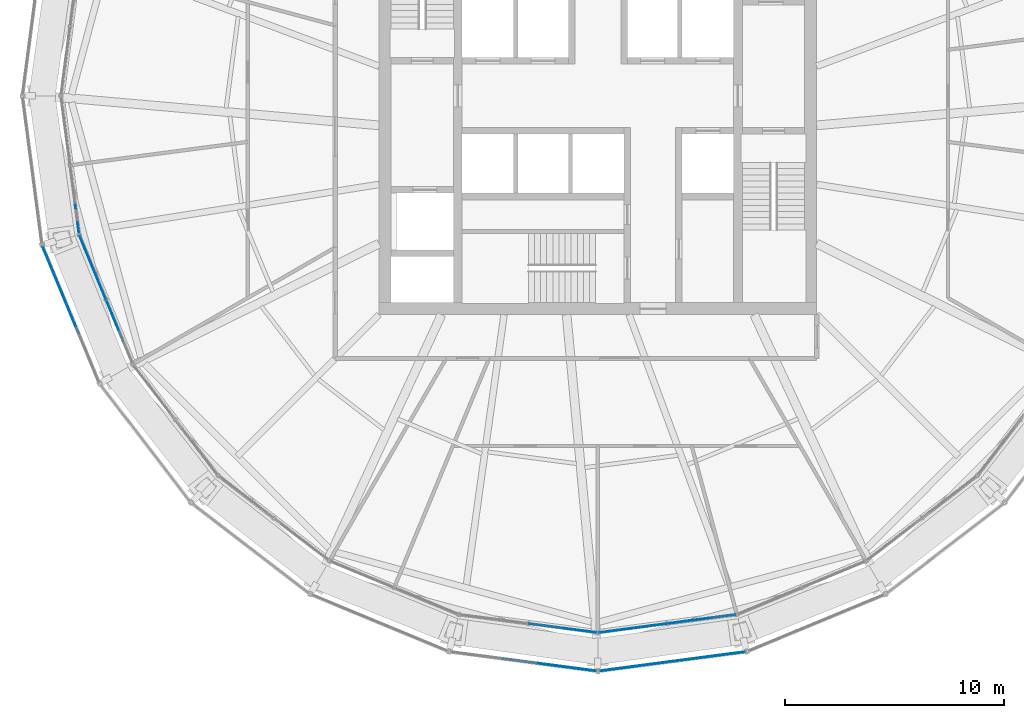
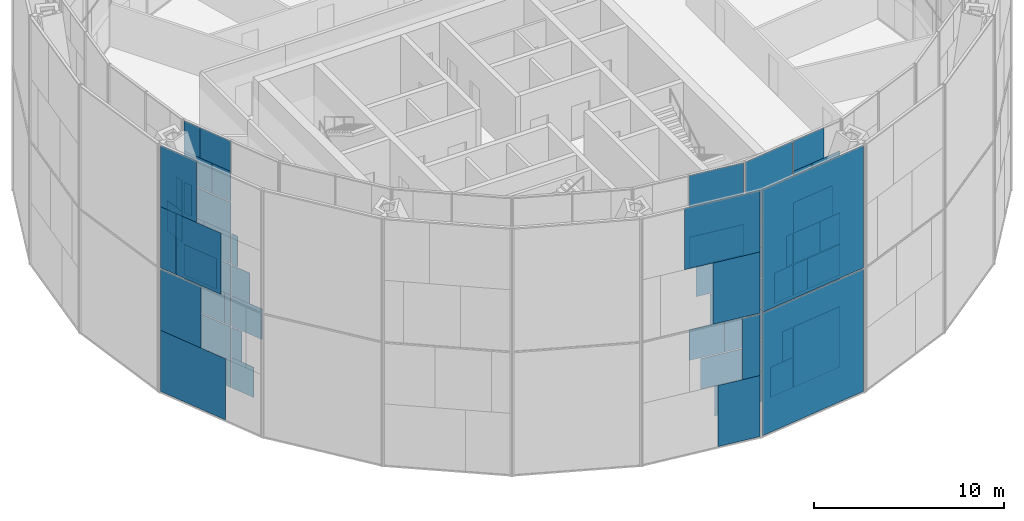
# One storey, part 15 of 29: 62 plates, 7 elements without a shape of their own.
"""IFC4 building model written with IfcOpenShell, lengths in metres."""

import ifcopenshell
import ifcopenshell.guid

model = None  # the IFC model being written
_history = None  # IfcOwnerHistory: only IFC2X3 demands one
_inside = {}  # id of a spatial element -> (the spatial element, [elements in it])
_under = {}  # id of a project, library or spatial element -> (it, [spatial elements below it])
_declared = {}  # id of a project -> (the project, [libraries it declares])
_typed = {}  # id of a type object -> (the type object, [elements of that type])
_made_of = {}  # id of a material, layer set ... -> (it, [elements and type objects made of it])


def new_model(schema):
    """Start an empty IFC model of exactly this schema.

    Asked for "IFC4X3", IfcOpenShell would pick the latest addendum, in which some entities
    have other attributes; the version numbers below select the first issue.
    IFC2X3 requires an IfcOwnerHistory on every rooted entity: one is made here for all.
    """
    global model, _history
    if schema == "IFC4X3":
        model = ifcopenshell.file(schema_version=(4, 3, 0, 0))
    else:
        model = ifcopenshell.file(schema=schema)
    _inside.clear()
    _under.clear()
    _declared.clear()
    _typed.clear()
    _made_of.clear()
    _history = None
    if model.schema == "IFC2X3":
        org = make("IfcOrganization", Name="unknown")
        user = make(
            "IfcPersonAndOrganization",
            ThePerson=make("IfcPerson", FamilyName="unknown"),
            TheOrganization=org,
        )
        app = make(
            "IfcApplication",
            ApplicationDeveloper=org,
            Version="unknown",
            ApplicationFullName="unknown",
            ApplicationIdentifier="unknown",
        )
        _history = make(
            "IfcOwnerHistory",
            OwningUser=user,
            OwningApplication=app,
            ChangeAction="ADDED",
            CreationDate=0,
        )
    return model


def make(cls, **values):
    """One entity of the class cls with the attributes given. An attribute that is None is left unset."""
    return model.create_entity(
        cls, **{name: value for name, value in values.items() if value is not None}
    )


def rooted(cls, **values):
    """An entity with a GlobalId (a new one), such as an element, a storey or a relation."""
    return make(cls, GlobalId=ifcopenshell.guid.new(), OwnerHistory=_history, **values)


def si_unit(unit_type, name, prefix=None):
    """IfcSIUnit, for example si_unit("LENGTHUNIT", "METRE", prefix="MILLI")."""
    return make("IfcSIUnit", UnitType=unit_type, Prefix=prefix, Name=name)


def assignment(units):
    """IfcUnitAssignment: the units of a project."""
    return None if units is None else make("IfcUnitAssignment", Units=units)


def point(xyz):
    """IfcCartesianPoint."""
    return None if xyz is None else make("IfcCartesianPoint", Coordinates=xyz)


def direction(xyz):
    """IfcDirection."""
    return None if xyz is None else make("IfcDirection", DirectionRatios=xyz)


def frame(location, z_axis=None, x_axis=None):
    """IfcAxis2Placement3D, a coordinate frame: its origin and axes. An axis left out is left unset."""
    return make(
        "IfcAxis2Placement3D",
        Location=point(location),
        Axis=direction(z_axis),
        RefDirection=direction(x_axis),
    )


def frame_2d(location, x_axis=None):
    """IfcAxis2Placement2D, a coordinate frame in the plane: its origin and x axis."""
    return make(
        "IfcAxis2Placement2D", Location=point(location), RefDirection=direction(x_axis)
    )


def origin():
    """The frame at (0, 0, 0) with its axes left unset."""
    return frame((0.0, 0.0, 0.0))


def origin_2d():
    """The frame at (0, 0) in the plane with its x axis left unset."""
    return frame_2d((0.0, 0.0))


def place(relative_to, where):
    """IfcLocalPlacement: puts the frame where relative to a parent placement (None: the world)."""
    return make(
        "IfcLocalPlacement", PlacementRelTo=relative_to, RelativePlacement=where
    )


def context(
    kind, dimensions, precision=None, world=None, true_north=None, identifier=None
):
    """IfcGeometricRepresentationContext, for example the 3D "Model" context."""
    return make(
        "IfcGeometricRepresentationContext",
        ContextIdentifier=identifier,
        ContextType=kind,
        CoordinateSpaceDimension=dimensions,
        Precision=precision,
        WorldCoordinateSystem=world,
        TrueNorth=true_north,
    )


def subcontext(parent, identifier, kind, view, scale=None):
    """IfcGeometricRepresentationSubContext, for example "Body" below "Model"."""
    return make(
        "IfcGeometricRepresentationSubContext",
        ContextIdentifier=identifier,
        ContextType=kind,
        ParentContext=parent,
        TargetScale=scale,
        TargetView=view,
    )


def project(units=None, contexts=None):
    """IfcProject with its units and contexts."""
    return rooted(
        "IfcProject",
        Name="project",
        RepresentationContexts=contexts,
        UnitsInContext=assignment(units),
    )


def spatial(cls, under=None, at=None, **own):
    """A site, building, storey or space (cls), placed at a placement, below another one or the project."""
    s = rooted(cls, ObjectPlacement=at, **own)
    if under is not None:
        _under.setdefault(under.id(), (under, []))[1].append(s)
    return s


def profile(cls, at=None, kind="AREA", **sizes):
    """A parametric profile (cls). Its sizes go by their IFC names, for example OverallWidth=200.0."""
    return make(cls, ProfileType=kind, Position=at, **sizes)


def rectangle(**sizes):
    """IfcRectangleProfileDef."""
    return profile("IfcRectangleProfileDef", **sizes)


def extrude(swept, where, along, depth):
    """IfcExtrudedAreaSolid: the profile swept, set in the frame where, extruded along a direction by depth."""
    return make(
        "IfcExtrudedAreaSolid",
        SweptArea=swept,
        Position=where,
        ExtrudedDirection=direction(along),
        Depth=depth,
    )


def shape(context_of_items, identifier, shape_type, items):
    """IfcShapeRepresentation: the items that make up one representation, for example the "Body"."""
    return make(
        "IfcShapeRepresentation",
        ContextOfItems=context_of_items,
        RepresentationIdentifier=identifier,
        RepresentationType=shape_type,
        Items=items,
    )


def material(Name=None, Category=None):
    """IfcMaterial."""
    return make("IfcMaterial", Name=Name, Category=Category)


def layer(
    of_material, thickness, ventilated=None, Name=None, Category=None, Priority=None
):
    """IfcMaterialLayer: one layer of a wall or slab, of a material (None: an air gap)."""
    return make(
        "IfcMaterialLayer",
        Material=of_material,
        LayerThickness=thickness,
        IsVentilated=ventilated,
        Name=Name,
        Category=Category,
        Priority=Priority,
    )


def layer_set(layers, Name=None):
    """IfcMaterialLayerSet."""
    return make("IfcMaterialLayerSet", MaterialLayers=layers, LayerSetName=Name)


def made_of(thing, what):
    """Note that an element or type object is made of a material, layer set ...; save() writes the relation."""
    if what is not None:
        _made_of.setdefault(what.id(), (what, []))[1].append(thing)
    return thing


def type_object(cls, material=None, **own):
    """A type object (cls), such as IfcWallType, which elements share."""
    return made_of(rooted(cls, **own), material)


def element(
    cls,
    number,
    at=None,
    inside=None,
    cuts=None,
    type_object=None,
    material=None,
    context=None,
    identifier="Body",
    shape_type=None,
    held_by="IfcProductDefinitionShape",
    body=None,
    shapes=None,
    **own,
):
    """One element of the class cls, such as IfcWall. Its Tag is "e" and its number.

    at: its placement. inside: the storey or other place that contains it. cuts: it is an
    opening in that element (IfcRelVoidsElement). A single representation is given by context,
    identifier, shape_type and body (its items); several are given by shapes. held_by: the class
    of the entity that holds the representations. save() writes the other relations.
    """
    e = rooted(cls, Tag="e%d" % number, ObjectPlacement=at, **own)
    if body is not None:
        shapes = [shape(context, identifier, shape_type, body)]
    if shapes is not None:
        e.Representation = make(held_by, Representations=shapes)
    if inside is not None:
        _inside.setdefault(inside.id(), (inside, []))[1].append(e)
    if cuts is not None:
        rooted(
            "IfcRelVoidsElement", RelatingBuildingElement=cuts, RelatedOpeningElement=e
        )
    if type_object is not None:
        _typed.setdefault(type_object.id(), (type_object, []))[1].append(e)
    return made_of(e, material)


def aggregate(whole, parts):
    """IfcRelAggregates: a whole, such as a stair, and the parts it consists of."""
    return rooted("IfcRelAggregates", RelatingObject=whole, RelatedObjects=parts)


def save(model, path):
    """Write the relations noted so far, then the file.

    IfcRelAggregates (storeys below a building ...), IfcRelContainedInSpatialStructure (elements
    in a storey), IfcRelDefinesByType, IfcRelAssociatesMaterial and IfcRelDeclares: one each for
    every whole, place, type object, material and project.
    """
    for whole, parts in _under.values():
        aggregate(whole, parts)
    for where, things in _inside.values():
        rooted(
            "IfcRelContainedInSpatialStructure",
            RelatedElements=things,
            RelatingStructure=where,
        )
    for kind, things in _typed.values():
        rooted("IfcRelDefinesByType", RelatedObjects=things, RelatingType=kind)
    for what, things in _made_of.values():
        rooted("IfcRelAssociatesMaterial", RelatedObjects=things, RelatingMaterial=what)
    for by, libraries in _declared.values():
        rooted("IfcRelDeclares", RelatingContext=by, RelatedDefinitions=libraries)
    model.write(path)


model = new_model("IFC4")

# Units and contexts
model_context = context("Model", 3, precision=1e-05, world=origin(), true_north=direction((0.0, 1.0)))
body_context = subcontext(model_context, "Body", "Model", "MODEL_VIEW")
ifc_project = project(units=[si_unit("LENGTHUNIT", "METRE"), si_unit("AREAUNIT", "SQUARE_METRE"), si_unit("VOLUMEUNIT", "CUBIC_METRE"), si_unit("PLANEANGLEUNIT", "RADIAN"), si_unit("MASSUNIT", "GRAM", prefix="KILO")], contexts=[model_context])

# Site, building, storey
site_placement = place(None, origin())
site = spatial("IfcSite", under=ifc_project, at=site_placement, CompositionType="ELEMENT")
building_placement = place(site_placement, origin())
building = spatial("IfcBuilding", under=site, at=building_placement, Name="Golbaran Civic Tower", CompositionType="ELEMENT")
storey_placement = place(building_placement, frame((0.0, 0.0, 118.0)))
storey = spatial("IfcBuildingStorey", under=building, at=storey_placement, Name="L28", CompositionType="ELEMENT", Elevation=118.0)

# Curtain wall, plates
ifc_material_1 = material(Name="Aluminium and glass", Category="aluminium")
curtain_wall_type_1 = type_object("IfcCurtainWallType", Name="INNER SKIN CURTAIN WALL", PredefinedType="NOTDEFINED", material=ifc_material_1)
curtain_wall_1_placement = place(storey_placement, origin())
curtain_wall_1 = element("IfcCurtainWall", 1, at=curtain_wall_1_placement, inside=storey, type_object=curtain_wall_type_1, Name="Inner skin L28 facet 13 CW1", ObjectType="INNER SKIN", PredefinedType="USERDEFINED")
ifc_material_2 = material(Name="Clear insulating glass", Category="glass")
ifc_layer_1 = layer(ifc_material_2, 0.031982421875, Name="Clear insulating glass")
ifc_layer_set_1 = layer_set([ifc_layer_1], Name="Clear insulating glass")
plate_type_1 = type_object("IfcPlateType", Name="INNER SKIN CURTAIN WALL GLAZED PANEL", PredefinedType="CURTAIN_PANEL", material=ifc_layer_set_1)
plate_1_placement = place(storey_placement, frame((-23.79296875, -5.628662109375, 8.03271484375), z_axis=(0.0, 0.0, 1.0), x_axis=(0.130526192237, -0.991444861372, 0.0)))
plate_1 = element("IfcPlate", 2, at=plate_1_placement, type_object=plate_type_1, Name="CW1 panel 2.3 part 2", PredefinedType="CURTAIN_PANEL", context=body_context, shape_type="SweptSolid", body=[
    extrude(rectangle(XDim=1.324951171875, YDim=0.031982421875, at=origin_2d()), origin(), (0.0, 0.0, 1.0), 1.967529296875),
])
plate_2_placement = place(storey_placement, frame((-23.73974609375, -6.03271484375, 10.0), z_axis=(0.0, 0.0, 1.0), x_axis=(0.130526192237, -0.991444861372, 0.0)))
plate_2 = element("IfcPlate", 3, at=plate_2_placement, type_object=plate_type_1, Name="CW1 panel 2.3 part 4", PredefinedType="CURTAIN_PANEL", context=body_context, shape_type="SweptSolid", body=[
    extrude(rectangle(XDim=0.509765625, YDim=0.031982421875, at=origin_2d()), origin(), (0.0, 0.0, 1.0), 1.967529296875),
])
aggregate(curtain_wall_1, [plate_1, plate_2])

curtain_wall_2_placement = place(storey_placement, origin())
curtain_wall_2 = element("IfcCurtainWall", 4, at=curtain_wall_2_placement, inside=storey, type_object=curtain_wall_type_1, Name="Inner skin L28 facet 14 CW1", ObjectType="INNER SKIN", PredefinedType="USERDEFINED")
plate_3_placement = place(storey_placement, frame((-23.0791015625, -7.84423828125, 0.06494140625), z_axis=(0.0, 0.0, 1.0), x_axis=(0.38268343243, -0.923879532485, 0.0)))
plate_3 = element("IfcPlate", 5, at=plate_3_placement, type_object=plate_type_1, Name="CW1 panel 1.1", PredefinedType="CURTAIN_PANEL", context=body_context, shape_type="SweptSolid", body=[
    extrude(rectangle(XDim=3.104736328125, YDim=0.031982421875, at=origin_2d()), origin(), (0.0, 0.0, 1.0), 3.902587890625),
])
plate_4_placement = place(storey_placement, frame((-23.156005859375, -7.658447265625, 4.03271484375), z_axis=(0.0, 0.0, 1.0), x_axis=(0.38268343243, -0.923879532485, 0.0)))
plate_4 = element("IfcPlate", 6, at=plate_4_placement, type_object=plate_type_1, Name="CW1 panel 1.2 part 1", PredefinedType="CURTAIN_PANEL", context=body_context, shape_type="SweptSolid", body=[
    extrude(rectangle(XDim=2.702880859375, YDim=0.031982421875, at=origin_2d()), origin(), (0.0, 0.0, 1.0), 1.967529296875),
])
plate_5_placement = place(storey_placement, frame((-23.2587890625, -7.410400390625, 6.0), z_axis=(0.0, 0.0, 1.0), x_axis=(0.38268343243, -0.923879532485, 0.0)))
plate_5 = element("IfcPlate", 7, at=plate_5_placement, type_object=plate_type_1, Name="CW1 panel 1.2 part 3", PredefinedType="CURTAIN_PANEL", context=body_context, shape_type="SweptSolid", body=[
    extrude(rectangle(XDim=2.166015625, YDim=0.031982421875, at=origin_2d()), origin(), (0.0, 0.0, 1.0), 1.967529296875),
])
plate_6_placement = place(storey_placement, frame((-23.419677734375, -7.02197265625, 8.03271484375), z_axis=(0.0, 0.0, 1.0), x_axis=(0.38268343243, -0.923879532485, 0.0)))
plate_6 = element("IfcPlate", 8, at=plate_6_placement, type_object=plate_type_1, Name="CW1 panel 1.3 part 1", PredefinedType="CURTAIN_PANEL", context=body_context, shape_type="SweptSolid", body=[
    extrude(rectangle(XDim=1.324951171875, YDim=0.031982421875, at=origin_2d()), origin(), (0.0, 0.0, 1.0), 1.967529296875),
])
plate_7_placement = place(storey_placement, frame((-23.57568359375, -6.6455078125, 10.0), z_axis=(0.0, 0.0, 1.0), x_axis=(0.38268343243, -0.923879532485, 0.0)))
plate_7 = element("IfcPlate", 9, at=plate_7_placement, type_object=plate_type_1, Name="CW1 panel 1.3 part 3", PredefinedType="CURTAIN_PANEL", context=body_context, shape_type="SweptSolid", body=[
    extrude(rectangle(XDim=0.510009765625, YDim=0.031982421875, at=origin_2d()), origin(), (0.0, 0.0, 1.0), 1.967529296875),
])
plate_8_placement = place(storey_placement, frame((-22.720703125, -8.70947265625, 12.032470703125), z_axis=(0.0, 0.0, 1.0), x_axis=(0.38268343243, -0.923879532485, 0.0)))
plate_8 = element("IfcPlate", 10, at=plate_8_placement, type_object=plate_type_1, Name="CW1 panel 1.4 part 2", PredefinedType="CURTAIN_PANEL", context=body_context, shape_type="SweptSolid", body=[
    extrude(rectangle(XDim=1.23193359375, YDim=0.031982421875, at=origin_2d()), origin(), (0.0, 0.0, 1.0), 1.951171875),
])
plate_9_placement = place(storey_placement, frame((-22.875244140625, -8.336181640625, 13.98388671875), z_axis=(0.0, 0.0, 1.0), x_axis=(0.38268343243, -0.923879532485, 0.0)))
plate_9 = element("IfcPlate", 11, at=plate_9_placement, type_object=plate_type_1, Name="CW1 panel 1.4 part 4", PredefinedType="CURTAIN_PANEL", context=body_context, shape_type="SweptSolid", body=[
    extrude(rectangle(XDim=2.039794921875, YDim=0.031982421875, at=origin_2d()), origin(), (0.0, 0.0, 1.0), 1.951171875),
])
plate_10_placement = place(storey_placement, frame((-22.180908203125, -10.012451171875, 0.06494140625), z_axis=(0.0, 0.0, 1.0), x_axis=(0.38268343243, -0.923879532485, 0.0)))
plate_10 = element("IfcPlate", 12, at=plate_10_placement, type_object=plate_type_1, Name="CW1 panel 2.1 part 1", PredefinedType="CURTAIN_PANEL", context=body_context, shape_type="SweptSolid", body=[
    extrude(rectangle(XDim=1.458984375, YDim=0.031982421875, at=origin_2d()), origin(), (0.0, 0.0, 1.0), 1.951171875),
])
plate_11_placement = place(storey_placement, frame((-22.33544921875, -9.63916015625, 2.016357421875), z_axis=(0.0, 0.0, 1.0), x_axis=(0.38268343243, -0.923879532485, 0.0)))
plate_11 = element("IfcPlate", 13, at=plate_11_placement, type_object=plate_type_1, Name="CW1 panel 2.1 part 3", PredefinedType="CURTAIN_PANEL", context=body_context, shape_type="SweptSolid", body=[
    extrude(rectangle(XDim=0.65087890625, YDim=0.031982421875, at=origin_2d()), origin(), (0.0, 0.0, 1.0), 1.951171875),
])

curtain_wall_3_placement = place(storey_placement, origin())
curtain_wall_3 = element("IfcCurtainWall", 14, at=curtain_wall_3_placement, inside=storey, type_object=curtain_wall_type_1, Name="Inner skin L28 facet 18 CW1", ObjectType="INNER SKIN", PredefinedType="USERDEFINED")
plate_12_placement = place(storey_placement, frame((-0.605224609375, -24.454345703125, 4.03271484375), z_axis=(0.0, 0.0, 1.0), x_axis=(0.991444861372, -0.130526192237, 0.0)))
plate_12 = element("IfcPlate", 15, at=plate_12_placement, type_object=plate_type_1, Name="CW1 panel 2.2 part 2", PredefinedType="CURTAIN_PANEL", context=body_context, shape_type="SweptSolid", body=[
    extrude(rectangle(XDim=1.0908203125, YDim=0.031982421875, at=origin_2d()), origin(), (0.0, 0.0, 1.0), 1.967529296875),
])
plate_13_placement = place(storey_placement, frame((-1.00927734375, -24.401123046875, 6.0), z_axis=(0.0, 0.0, 1.0), x_axis=(0.991444861372, -0.130526192237, 0.0)))
plate_13 = element("IfcPlate", 16, at=plate_13_placement, type_object=plate_type_1, Name="CW1 panel 2.2 part 4", PredefinedType="CURTAIN_PANEL", context=body_context, shape_type="SweptSolid", body=[
    extrude(rectangle(XDim=1.90576171875, YDim=0.031982421875, at=origin_2d()), origin(), (0.0, 0.0, 1.0), 1.967529296875),
])
plate_14_placement = place(storey_placement, frame((-1.4052734375, -24.348876953125, 8.03271484375), z_axis=(0.0, 0.0, 1.0), x_axis=(0.991444861372, -0.130526192237, 0.0)))
plate_14 = element("IfcPlate", 17, at=plate_14_placement, type_object=plate_type_1, Name="CW1 panel 2.3 part 2", PredefinedType="CURTAIN_PANEL", context=body_context, shape_type="SweptSolid", body=[
    extrude(rectangle(XDim=2.704833984375, YDim=0.031982421875, at=origin_2d()), origin(), (0.0, 0.0, 1.0), 1.967529296875),
])
plate_15_placement = place(storey_placement, frame((-1.603515625, -24.322998046875, 10.0), z_axis=(0.0, 0.0, 1.0), x_axis=(0.991444861372, -0.130526192237, 0.0)))
plate_15 = element("IfcPlate", 18, at=plate_15_placement, type_object=plate_type_1, Name="CW1 panel 2.3 part 3", PredefinedType="CURTAIN_PANEL", context=body_context, shape_type="SweptSolid", body=[
    extrude(rectangle(XDim=3.104736328125, YDim=0.031982421875, at=origin_2d()), origin(), (0.0, 0.0, 1.0), 1.967529296875),
])
plate_16_placement = place(storey_placement, frame((-1.603515625, -24.322998046875, 12.0322265625), z_axis=(0.0, 0.0, 1.0), x_axis=(0.991444861372, -0.130526192237, 0.0)))
plate_16 = element("IfcPlate", 19, at=plate_16_placement, type_object=plate_type_1, Name="CW1 panel 2.4", PredefinedType="CURTAIN_PANEL", context=body_context, shape_type="SweptSolid", body=[
    extrude(rectangle(XDim=3.104736328125, YDim=0.031982421875, at=origin_2d()), origin(), (0.0, 0.0, 1.0), 3.902587890625),
])

curtain_wall_4_placement = place(storey_placement, origin())
curtain_wall_4 = element("IfcCurtainWall", 20, at=curtain_wall_4_placement, inside=storey, type_object=curtain_wall_type_1, Name="Inner skin L28 facet 19 CW1", ObjectType="INNER SKIN", PredefinedType="USERDEFINED")
plate_17_placement = place(storey_placement, frame((2.41943359375, -24.215576171875, 0.06494140625), z_axis=(0.0, 0.0, 1.0), x_axis=(0.991444861372, 0.130526192237, 0.0)))
plate_17 = element("IfcPlate", 21, at=plate_17_placement, type_object=plate_type_1, Name="CW1 panel 1.1 part 2", PredefinedType="CURTAIN_PANEL", context=body_context, shape_type="SweptSolid", body=[
    extrude(rectangle(XDim=1.458740234375, YDim=0.031982421875, at=origin_2d()), origin(), (0.0, 0.0, 1.0), 1.951171875),
])
plate_18_placement = place(storey_placement, frame((2.819580078125, -24.162841796875, 2.016357421875), z_axis=(0.0, 0.0, 1.0), x_axis=(0.991444861372, 0.130526192237, 0.0)))
plate_18 = element("IfcPlate", 22, at=plate_18_placement, type_object=plate_type_1, Name="CW1 panel 1.1 part 4", PredefinedType="CURTAIN_PANEL", context=body_context, shape_type="SweptSolid", body=[
    extrude(rectangle(XDim=0.65185546875, YDim=0.031982421875, at=origin_2d()), origin(), (0.0, 0.0, 1.0), 1.951171875),
])
plate_19_placement = place(storey_placement, frame((0.605224609375, -24.454345703125, 4.03271484375), z_axis=(0.0, 0.0, 1.0), x_axis=(0.991444861372, 0.130526192237, 0.0)))
plate_19 = element("IfcPlate", 23, at=plate_19_placement, type_object=plate_type_1, Name="CW1 panel 1.2 part 1", PredefinedType="CURTAIN_PANEL", context=body_context, shape_type="SweptSolid", body=[
    extrude(rectangle(XDim=1.091064453125, YDim=0.031982421875, at=origin_2d()), origin(), (0.0, 0.0, 1.0), 1.967529296875),
])
plate_20_placement = place(storey_placement, frame((1.0087890625, -24.401123046875, 6.0), z_axis=(0.0, 0.0, 1.0), x_axis=(0.991444861372, 0.130526192237, 0.0)))
plate_20 = element("IfcPlate", 24, at=plate_20_placement, type_object=plate_type_1, Name="CW1 panel 1.2 part 3", PredefinedType="CURTAIN_PANEL", context=body_context, shape_type="SweptSolid", body=[
    extrude(rectangle(XDim=1.905029296875, YDim=0.031982421875, at=origin_2d()), origin(), (0.0, 0.0, 1.0), 1.967529296875),
])
plate_21_placement = place(storey_placement, frame((1.404296875, -24.34912109375, 8.03271484375), z_axis=(0.0, 0.0, 1.0), x_axis=(0.991444861372, 0.130526192237, 0.0)))
plate_21 = element("IfcPlate", 25, at=plate_21_placement, type_object=plate_type_1, Name="CW1 panel 1.3 part 1", PredefinedType="CURTAIN_PANEL", context=body_context, shape_type="SweptSolid", body=[
    extrude(rectangle(XDim=2.702880859375, YDim=0.031982421875, at=origin_2d()), origin(), (0.0, 0.0, 1.0), 1.967529296875),
])
plate_22_placement = place(storey_placement, frame((1.603515625, -24.322998046875, 10.0), z_axis=(0.0, 0.0, 1.0), x_axis=(0.991444861372, 0.130526192237, 0.0)))
plate_22 = element("IfcPlate", 26, at=plate_22_placement, type_object=plate_type_1, Name="CW1 panel 1.3 part 3", PredefinedType="CURTAIN_PANEL", context=body_context, shape_type="SweptSolid", body=[
    extrude(rectangle(XDim=3.104736328125, YDim=0.031982421875, at=origin_2d()), origin(), (0.0, 0.0, 1.0), 1.967529296875),
])
plate_23_placement = place(storey_placement, frame((1.603515625, -24.322998046875, 12.0322265625), z_axis=(0.0, 0.0, 1.0), x_axis=(0.991444861372, 0.130526192237, 0.0)))
plate_23 = element("IfcPlate", 27, at=plate_23_placement, type_object=plate_type_1, Name="CW1 panel 1.4", PredefinedType="CURTAIN_PANEL", context=body_context, shape_type="SweptSolid", body=[
    extrude(rectangle(XDim=3.104736328125, YDim=0.031982421875, at=origin_2d()), origin(), (0.0, 0.0, 1.0), 3.902587890625),
])
plate_24_placement = place(storey_placement, frame((4.746337890625, -23.9091796875, 0.06494140625), z_axis=(0.0, 0.0, 1.0), x_axis=(0.991444861372, 0.130526192237, 0.0)))
plate_24 = element("IfcPlate", 28, at=plate_24_placement, type_object=plate_type_1, Name="CW1 panel 2.1", PredefinedType="CURTAIN_PANEL", context=body_context, shape_type="SweptSolid", body=[
    extrude(rectangle(XDim=3.104736328125, YDim=0.031982421875, at=origin_2d()), origin(), (0.0, 0.0, 1.0), 3.902587890625),
])
plate_25_placement = place(storey_placement, frame((4.945068359375, -23.883056640625, 4.03271484375), z_axis=(0.0, 0.0, 1.0), x_axis=(0.991444861372, 0.130526192237, 0.0)))
plate_25 = element("IfcPlate", 29, at=plate_25_placement, type_object=plate_type_1, Name="CW1 panel 2.2 part 2", PredefinedType="CURTAIN_PANEL", context=body_context, shape_type="SweptSolid", body=[
    extrude(rectangle(XDim=2.703857421875, YDim=0.031982421875, at=origin_2d()), origin(), (0.0, 0.0, 1.0), 1.967529296875),
])
plate_26_placement = place(storey_placement, frame((5.211669921875, -23.847900390625, 6.0), z_axis=(0.0, 0.0, 1.0), x_axis=(0.991444861372, 0.130526192237, 0.0)))
plate_26 = element("IfcPlate", 30, at=plate_26_placement, type_object=plate_type_1, Name="CW1 panel 2.2 part 4", PredefinedType="CURTAIN_PANEL", context=body_context, shape_type="SweptSolid", body=[
    extrude(rectangle(XDim=2.165771484375, YDim=0.031982421875, at=origin_2d()), origin(), (0.0, 0.0, 1.0), 1.967529296875),
])
plate_27_placement = place(storey_placement, frame((5.628662109375, -23.79296875, 8.03271484375), z_axis=(0.0, 0.0, 1.0), x_axis=(0.991444861372, 0.130526192237, 0.0)))
plate_27 = element("IfcPlate", 31, at=plate_27_placement, type_object=plate_type_1, Name="CW1 panel 2.3 part 2", PredefinedType="CURTAIN_PANEL", context=body_context, shape_type="SweptSolid", body=[
    extrude(rectangle(XDim=1.324951171875, YDim=0.031982421875, at=origin_2d()), origin(), (0.0, 0.0, 1.0), 1.967529296875),
])
plate_28_placement = place(storey_placement, frame((3.81787109375, -24.03125, 12.032470703125), z_axis=(0.0, 0.0, 1.0), x_axis=(0.991444861372, 0.130526192237, 0.0)))
plate_28 = element("IfcPlate", 32, at=plate_28_placement, type_object=plate_type_1, Name="CW1 panel 2.4 part 1", PredefinedType="CURTAIN_PANEL", context=body_context, shape_type="SweptSolid", body=[
    extrude(rectangle(XDim=1.23193359375, YDim=0.031982421875, at=origin_2d()), origin(), (0.0, 0.0, 1.0), 1.951171875),
])
plate_29_placement = place(storey_placement, frame((4.218505859375, -23.978515625, 13.98388671875), z_axis=(0.0, 0.0, 1.0), x_axis=(0.991444861372, 0.130526192237, 0.0)))
plate_29 = element("IfcPlate", 33, at=plate_29_placement, type_object=plate_type_1, Name="CW1 panel 2.4 part 3", PredefinedType="CURTAIN_PANEL", context=body_context, shape_type="SweptSolid", body=[
    extrude(rectangle(XDim=2.0400390625, YDim=0.031982421875, at=origin_2d()), origin(), (0.0, 0.0, 1.0), 1.951171875),
])

# Plate
ifc_material_3 = material(Name="Aluminium faced opaque infill panel", Category="aluminium")
ifc_layer_2 = layer(ifc_material_3, 0.031982421875, Name="Aluminium faced opaque infill panel")
ifc_layer_set_2 = layer_set([ifc_layer_2], Name="Aluminium faced opaque infill panel")
plate_type_2 = type_object("IfcPlateType", Name="INNER SKIN CURTAIN WALL OPAQUE INFILL PANEL", PredefinedType="CURTAIN_PANEL", material=ifc_layer_set_2)
plate_30_placement = place(storey_placement, frame((-22.561767578125, -9.0927734375, 4.03271484375), z_axis=(0.0, 0.0, 1.0), x_axis=(0.38268343243, -0.923879532485, 0.0)))
plate_30 = element("IfcPlate", 34, at=plate_30_placement, type_object=plate_type_2, Name="CW1 infill panel 1.2 part 2", PredefinedType="CURTAIN_PANEL", context=body_context, shape_type="SweptSolid", body=[
    extrude(rectangle(XDim=0.40185546875, YDim=0.031982421875, at=origin_2d()), origin(), (0.0, 0.0, 1.0), 1.967529296875),
])

plate_31_placement = place(storey_placement, frame((-22.66455078125, -8.8447265625, 6.0), z_axis=(0.0, 0.0, 1.0), x_axis=(0.38268343243, -0.923879532485, 0.0)))
plate_31 = element("IfcPlate", 35, at=plate_31_placement, type_object=plate_type_2, Name="CW1 infill panel 1.2 part 4", PredefinedType="CURTAIN_PANEL", context=body_context, shape_type="SweptSolid", body=[
    extrude(rectangle(XDim=0.938720703125, YDim=0.031982421875, at=origin_2d()), origin(), (0.0, 0.0, 1.0), 1.967529296875),
])

plate_32_placement = place(storey_placement, frame((-22.825439453125, -8.456298828125, 8.03271484375), z_axis=(0.0, 0.0, 1.0), x_axis=(0.38268343243, -0.923879532485, 0.0)))
plate_32 = element("IfcPlate", 36, at=plate_32_placement, type_object=plate_type_2, Name="CW1 infill panel 1.3 part 2", PredefinedType="CURTAIN_PANEL", context=body_context, shape_type="SweptSolid", body=[
    extrude(rectangle(XDim=1.77978515625, YDim=0.031982421875, at=origin_2d()), origin(), (0.0, 0.0, 1.0), 1.967529296875),
])

plate_33_placement = place(storey_placement, frame((-22.9814453125, -8.079833984375, 10.0), z_axis=(0.0, 0.0, 1.0), x_axis=(0.38268343243, -0.923879532485, 0.0)))
plate_33 = element("IfcPlate", 37, at=plate_33_placement, type_object=plate_type_2, Name="CW1 infill panel 1.3 part 4", PredefinedType="CURTAIN_PANEL", context=body_context, shape_type="SweptSolid", body=[
    extrude(rectangle(XDim=2.5947265625, YDim=0.031982421875, at=origin_2d()), origin(), (0.0, 0.0, 1.0), 1.967529296875),
])

plate_34_placement = place(storey_placement, frame((-23.314697265625, -7.275146484375, 12.032470703125), z_axis=(0.0, 0.0, 1.0), x_axis=(0.38268343243, -0.923879532485, 0.0)))
plate_34 = element("IfcPlate", 38, at=plate_34_placement, type_object=plate_type_2, Name="CW1 infill panel 1.4 part 1", PredefinedType="CURTAIN_PANEL", context=body_context, shape_type="SweptSolid", body=[
    extrude(rectangle(XDim=1.873046875, YDim=0.031982421875, at=origin_2d()), origin(), (0.0, 0.0, 1.0), 1.951171875),
])

plate_35_placement = place(storey_placement, frame((-23.469482421875, -6.90185546875, 13.98388671875), z_axis=(0.0, 0.0, 1.0), x_axis=(0.38268343243, -0.923879532485, 0.0)))
plate_35 = element("IfcPlate", 39, at=plate_35_placement, type_object=plate_type_2, Name="CW1 infill panel 1.4 part 3", PredefinedType="CURTAIN_PANEL", context=body_context, shape_type="SweptSolid", body=[
    extrude(rectangle(XDim=1.06494140625, YDim=0.031982421875, at=origin_2d()), origin(), (0.0, 0.0, 1.0), 1.951171875),
])

plate_36_placement = place(storey_placement, frame((-22.07470703125, -10.268798828125, 4.03271484375), z_axis=(0.0, 0.0, 1.0), x_axis=(0.38268343243, -0.923879532485, 0.0)))
plate_36 = element("IfcPlate", 40, at=plate_36_placement, type_object=plate_type_2, Name="CW1 infill panel 2.2 part 1", PredefinedType="CURTAIN_PANEL", context=body_context, shape_type="SweptSolid", body=[
    extrude(rectangle(XDim=2.013916015625, YDim=0.031982421875, at=origin_2d()), origin(), (0.0, 0.0, 1.0), 1.967529296875),
])

plate_37_placement = place(storey_placement, frame((-22.230712890625, -9.892333984375, 6.0), z_axis=(0.0, 0.0, 1.0), x_axis=(0.38268343243, -0.923879532485, 0.0)))
plate_37 = element("IfcPlate", 41, at=plate_37_placement, type_object=plate_type_2, Name="CW1 infill panel 2.2 part 3", PredefinedType="CURTAIN_PANEL", context=body_context, shape_type="SweptSolid", body=[
    extrude(rectangle(XDim=1.198974609375, YDim=0.031982421875, at=origin_2d()), origin(), (0.0, 0.0, 1.0), 1.967529296875),
])

plate_38_placement = place(storey_placement, frame((-22.383544921875, -9.523193359375, 8.03271484375), z_axis=(0.0, 0.0, 1.0), x_axis=(0.38268343243, -0.923879532485, 0.0)))
plate_38 = element("IfcPlate", 42, at=plate_38_placement, type_object=plate_type_2, Name="CW1 infill panel 2.3 part 1", PredefinedType="CURTAIN_PANEL", context=body_context, shape_type="SweptSolid", body=[
    extrude(rectangle(XDim=0.39990234375, YDim=0.031982421875, at=origin_2d()), origin(), (0.0, 0.0, 1.0), 1.967529296875),
])

aggregate(curtain_wall_2, [plate_3, plate_4, plate_30, plate_5, plate_31, plate_6, plate_32, plate_7, plate_33, plate_34, plate_8, plate_35, plate_9, plate_10, plate_11, plate_36, plate_37, plate_38])

plate_39_placement = place(storey_placement, frame((-0.88037109375, -24.418212890625, 0.06494140625), z_axis=(0.0, 0.0, 1.0), x_axis=(0.991444861372, -0.130526192237, 0.0)))
plate_39 = element("IfcPlate", 43, at=plate_39_placement, type_object=plate_type_2, Name="CW1 infill panel 2.1 part 2", PredefinedType="CURTAIN_PANEL", context=body_context, shape_type="SweptSolid", body=[
    extrude(rectangle(XDim=1.645751953125, YDim=0.031982421875, at=origin_2d()), origin(), (0.0, 0.0, 1.0), 1.951171875),
])

plate_40_placement = place(storey_placement, frame((-1.28076171875, -24.365478515625, 2.016357421875), z_axis=(0.0, 0.0, 1.0), x_axis=(0.991444861372, -0.130526192237, 0.0)))
plate_40 = element("IfcPlate", 44, at=plate_40_placement, type_object=plate_type_2, Name="CW1 infill panel 2.1 part 4", PredefinedType="CURTAIN_PANEL", context=body_context, shape_type="SweptSolid", body=[
    extrude(rectangle(XDim=2.453857421875, YDim=0.031982421875, at=origin_2d()), origin(), (0.0, 0.0, 1.0), 1.951171875),
])

plate_41_placement = place(storey_placement, frame((-2.144287109375, -24.251708984375, 4.03271484375), z_axis=(0.0, 0.0, 1.0), x_axis=(0.991444861372, -0.130526192237, 0.0)))
plate_41 = element("IfcPlate", 45, at=plate_41_placement, type_object=plate_type_2, Name="CW1 infill panel 2.2 part 1", PredefinedType="CURTAIN_PANEL", context=body_context, shape_type="SweptSolid", body=[
    extrude(rectangle(XDim=2.013916015625, YDim=0.031982421875, at=origin_2d()), origin(), (0.0, 0.0, 1.0), 1.967529296875),
])

aggregate(curtain_wall_3, [plate_39, plate_40, plate_41, plate_12, plate_13, plate_14, plate_15, plate_16])

plate_42_placement = place(storey_placement, frame((0.88037109375, -24.418212890625, 0.06494140625), z_axis=(0.0, 0.0, 1.0), x_axis=(0.991444861372, 0.130526192237, 0.0)))
plate_42 = element("IfcPlate", 46, at=plate_42_placement, type_object=plate_type_2, Name="CW1 infill panel 1.1 part 1", PredefinedType="CURTAIN_PANEL", context=body_context, shape_type="SweptSolid", body=[
    extrude(rectangle(XDim=1.64599609375, YDim=0.031982421875, at=origin_2d()), origin(), (0.0, 0.0, 1.0), 1.951171875),
])

plate_43_placement = place(storey_placement, frame((1.280517578125, -24.365478515625, 2.016357421875), z_axis=(0.0, 0.0, 1.0), x_axis=(0.991444861372, 0.130526192237, 0.0)))
plate_43 = element("IfcPlate", 47, at=plate_43_placement, type_object=plate_type_2, Name="CW1 infill panel 1.1 part 3", PredefinedType="CURTAIN_PANEL", context=body_context, shape_type="SweptSolid", body=[
    extrude(rectangle(XDim=2.452880859375, YDim=0.031982421875, at=origin_2d()), origin(), (0.0, 0.0, 1.0), 1.951171875),
])

plate_44_placement = place(storey_placement, frame((2.14453125, -24.251708984375, 4.03271484375), z_axis=(0.0, 0.0, 1.0), x_axis=(0.991444861372, 0.130526192237, 0.0)))
plate_44 = element("IfcPlate", 48, at=plate_44_placement, type_object=plate_type_2, Name="CW1 infill panel 1.2 part 2", PredefinedType="CURTAIN_PANEL", context=body_context, shape_type="SweptSolid", body=[
    extrude(rectangle(XDim=2.013916015625, YDim=0.031982421875, at=origin_2d()), origin(), (0.0, 0.0, 1.0), 1.967529296875),
])

plate_45_placement = place(storey_placement, frame((2.5478515625, -24.198486328125, 6.0), z_axis=(0.0, 0.0, 1.0), x_axis=(0.991444861372, 0.130526192237, 0.0)))
plate_45 = element("IfcPlate", 49, at=plate_45_placement, type_object=plate_type_2, Name="CW1 infill panel 1.2 part 4", PredefinedType="CURTAIN_PANEL", context=body_context, shape_type="SweptSolid", body=[
    extrude(rectangle(XDim=1.199951171875, YDim=0.031982421875, at=origin_2d()), origin(), (0.0, 0.0, 1.0), 1.967529296875),
])

plate_46_placement = place(storey_placement, frame((2.943603515625, -24.146484375, 8.03271484375), z_axis=(0.0, 0.0, 1.0), x_axis=(0.991444861372, 0.130526192237, 0.0)))
plate_46 = element("IfcPlate", 50, at=plate_46_placement, type_object=plate_type_2, Name="CW1 infill panel 1.3 part 2", PredefinedType="CURTAIN_PANEL", context=body_context, shape_type="SweptSolid", body=[
    extrude(rectangle(XDim=0.40185546875, YDim=0.031982421875, at=origin_2d()), origin(), (0.0, 0.0, 1.0), 1.967529296875),
])

plate_47_placement = place(storey_placement, frame((3.406005859375, -24.085693359375, 4.03271484375), z_axis=(0.0, 0.0, 1.0), x_axis=(0.991444861372, 0.130526192237, 0.0)))
plate_47 = element("IfcPlate", 51, at=plate_47_placement, type_object=plate_type_2, Name="CW1 infill panel 2.2 part 1", PredefinedType="CURTAIN_PANEL", context=body_context, shape_type="SweptSolid", body=[
    extrude(rectangle(XDim=0.40087890625, YDim=0.031982421875, at=origin_2d()), origin(), (0.0, 0.0, 1.0), 1.967529296875),
])

plate_48_placement = place(storey_placement, frame((3.672607421875, -24.050537109375, 6.0), z_axis=(0.0, 0.0, 1.0), x_axis=(0.991444861372, 0.130526192237, 0.0)))
plate_48 = element("IfcPlate", 52, at=plate_48_placement, type_object=plate_type_2, Name="CW1 infill panel 2.2 part 3", PredefinedType="CURTAIN_PANEL", context=body_context, shape_type="SweptSolid", body=[
    extrude(rectangle(XDim=0.93896484375, YDim=0.031982421875, at=origin_2d()), origin(), (0.0, 0.0, 1.0), 1.967529296875),
])

plate_49_placement = place(storey_placement, frame((4.089599609375, -23.99560546875, 8.03271484375), z_axis=(0.0, 0.0, 1.0), x_axis=(0.991444861372, 0.130526192237, 0.0)))
plate_49 = element("IfcPlate", 53, at=plate_49_placement, type_object=plate_type_2, Name="CW1 infill panel 2.3 part 1", PredefinedType="CURTAIN_PANEL", context=body_context, shape_type="SweptSolid", body=[
    extrude(rectangle(XDim=1.780029296875, YDim=0.031982421875, at=origin_2d()), origin(), (0.0, 0.0, 1.0), 1.967529296875),
])

plate_50_placement = place(storey_placement, frame((4.49365234375, -23.9423828125, 10.0), z_axis=(0.0, 0.0, 1.0), x_axis=(0.991444861372, 0.130526192237, 0.0)))
plate_50 = element("IfcPlate", 54, at=plate_50_placement, type_object=plate_type_2, Name="CW1 infill panel 2.3 part 3", PredefinedType="CURTAIN_PANEL", context=body_context, shape_type="SweptSolid", body=[
    extrude(rectangle(XDim=2.594970703125, YDim=0.031982421875, at=origin_2d()), origin(), (0.0, 0.0, 1.0), 1.967529296875),
])

plate_51_placement = place(storey_placement, frame((5.35693359375, -23.82861328125, 12.032470703125), z_axis=(0.0, 0.0, 1.0), x_axis=(0.991444861372, 0.130526192237, 0.0)))
plate_51 = element("IfcPlate", 55, at=plate_51_placement, type_object=plate_type_2, Name="CW1 infill panel 2.4 part 2", PredefinedType="CURTAIN_PANEL", context=body_context, shape_type="SweptSolid", body=[
    extrude(rectangle(XDim=1.872802734375, YDim=0.031982421875, at=origin_2d()), origin(), (0.0, 0.0, 1.0), 1.951171875),
])

aggregate(curtain_wall_4, [plate_42, plate_17, plate_43, plate_18, plate_19, plate_44, plate_20, plate_45, plate_21, plate_46, plate_22, plate_23, plate_24, plate_47, plate_25, plate_48, plate_26, plate_49, plate_27, plate_50, plate_28, plate_51, plate_29])

# Curtain wall, plates
curtain_wall_type_2 = type_object("IfcCurtainWallType", Name="OUTER SKIN TERRACOTTA SCREEN", PredefinedType="NOTDEFINED", material=ifc_material_1)
curtain_wall_5_placement = place(storey_placement, origin())
curtain_wall_5 = element("IfcCurtainWall", 56, at=curtain_wall_5_placement, inside=storey, type_object=curtain_wall_type_2, Name="Outer skin L28 facet 14 CW3", ObjectType="OUTER SKIN", PredefinedType="USERDEFINED")
ifc_material_4 = material(Name="Clear laminated glass", Category="glass")
ifc_layer_3 = layer(ifc_material_4, 0.0400390625, Name="Clear laminated glass")
ifc_layer_set_3 = layer_set([ifc_layer_3], Name="Clear laminated glass")
plate_type_3 = type_object("IfcPlateType", Name="OUTER SKIN CLEAR GLASS PANEL", PredefinedType="CURTAIN_PANEL", material=ifc_layer_set_3)
plate_52_placement = place(storey_placement, frame((-24.542236328125, -8.869140625, -0.6298828125), z_axis=(0.0, 0.0, 1.0), x_axis=(0.382683432381, -0.923879532505, 0.0)))
plate_52 = element("IfcPlate", 57, at=plate_52_placement, type_object=plate_type_3, Name="CW3 panel 1.1 part 1", PredefinedType="CURTAIN_PANEL", context=body_context, shape_type="SweptSolid", body=[
    extrude(rectangle(XDim=4.30810546875, YDim=0.0400390625, at=origin_2d()), origin(), (0.0, 0.0, 1.0), 3.93994140625),
])
plate_53_placement = place(storey_placement, frame((-24.854248046875, -8.11572265625, 3.31005859375), z_axis=(0.0, 0.0, 1.0), x_axis=(0.382683432381, -0.923879532505, 0.0)))
plate_53 = element("IfcPlate", 58, at=plate_53_placement, type_object=plate_type_3, Name="CW3 panel 1.1 part 3", PredefinedType="CURTAIN_PANEL", context=body_context, shape_type="SweptSolid", body=[
    extrude(rectangle(XDim=2.677001953125, YDim=0.0400390625, at=origin_2d()), origin(), (0.0, 0.0, 1.0), 3.93994140625),
])
plate_54_placement = place(storey_placement, frame((-25.17236328125, -7.347412109375, 7.330078125), z_axis=(0.0, 0.0, 1.0), x_axis=(0.382683432381, -0.923879532505, 0.0)))
plate_54 = element("IfcPlate", 59, at=plate_54_placement, type_object=plate_type_3, Name="CW3 panel 1.2 part 1", PredefinedType="CURTAIN_PANEL", context=body_context, shape_type="SweptSolid", body=[
    extrude(rectangle(XDim=1.013916015625, YDim=0.0400390625, at=origin_2d()), origin(), (0.0, 0.0, 1.0), 3.93994140625),
])

curtain_wall_6_placement = place(storey_placement, origin())
curtain_wall_6 = element("IfcCurtainWall", 60, at=curtain_wall_6_placement, inside=storey, type_object=curtain_wall_type_2, Name="Outer skin L28 facet 18 CW3", ObjectType="OUTER SKIN", PredefinedType="USERDEFINED")
plate_55_placement = place(storey_placement, frame((-0.578369140625, -26.216796875, 3.31005859375), z_axis=(0.0, 0.0, 1.0), x_axis=(0.991444861381, -0.130526192168, 0.0)))
plate_55 = element("IfcPlate", 61, at=plate_55_placement, type_object=plate_type_3, Name="CW3 panel 1.1 part 5", PredefinedType="CURTAIN_PANEL", context=body_context, shape_type="SweptSolid", body=[
    extrude(rectangle(XDim=1.0068359375, YDim=0.0400390625, at=origin_2d()), origin(), (0.0, 0.0, 1.0), 3.93994140625),
])
plate_56_placement = place(storey_placement, frame((-1.4033203125, -26.108154296875, 7.330078125), z_axis=(0.0, 0.0, 1.0), x_axis=(0.991444861381, -0.130526192168, 0.0)))
plate_56 = element("IfcPlate", 62, at=plate_56_placement, type_object=plate_type_3, Name="CW3 panel 1.2 part 3", PredefinedType="CURTAIN_PANEL", context=body_context, shape_type="SweptSolid", body=[
    extrude(rectangle(XDim=2.6708984375, YDim=0.0400390625, at=origin_2d()), origin(), (0.0, 0.0, 1.0), 3.93994140625),
])
plate_57_placement = place(storey_placement, frame((-2.21142578125, -26.001953125, 11.27001953125), z_axis=(0.0, 0.0, 1.0), x_axis=(0.991444861381, -0.130526192168, 0.0)))
plate_57 = element("IfcPlate", 63, at=plate_57_placement, type_object=plate_type_3, Name="CW3 panel 1.2 part 5", PredefinedType="CURTAIN_PANEL", context=body_context, shape_type="SweptSolid", body=[
    extrude(rectangle(XDim=4.30078125, YDim=0.0400390625, at=origin_2d()), origin(), (0.0, 0.0, 1.0), 3.93994140625),
])

# Plate
ifc_material_5 = material(Name="Terracotta baguette screen", Category="masonry")
ifc_layer_4 = layer(ifc_material_5, 0.0400390625, Name="Terracotta baguette screen")
ifc_layer_set_4 = layer_set([ifc_layer_4], Name="Terracotta baguette screen")
plate_type_4 = type_object("IfcPlateType", Name="OUTER SKIN TERRACOTTA INFILL PANEL", PredefinedType="CURTAIN_PANEL", material=ifc_layer_set_4)
plate_58_placement = place(storey_placement, frame((-24.40087890625, -9.21044921875, 7.330078125), z_axis=(0.0, 0.0, 1.0), x_axis=(0.382683432381, -0.923879532505, 0.0)))
plate_58 = element("IfcPlate", 64, at=plate_58_placement, type_object=plate_type_4, Name="CW3 infill panel 1.2 part 2", PredefinedType="CURTAIN_PANEL", context=body_context, shape_type="SweptSolid", body=[
    extrude(rectangle(XDim=3.01904296875, YDim=0.0400390625, at=origin_2d()), origin(), (0.0, 0.0, 1.0), 3.93994140625),
])

plate_59_placement = place(storey_placement, frame((-24.90673828125, -7.989013671875, 11.27001953125), z_axis=(0.0, 0.0, 1.0), x_axis=(0.382683432381, -0.923879532505, 0.0)))
plate_59 = element("IfcPlate", 65, at=plate_59_placement, type_object=plate_type_4, Name="CW3 infill panel 1.2 part 4", PredefinedType="CURTAIN_PANEL", context=body_context, shape_type="SweptSolid", body=[
    extrude(rectangle(XDim=2.403076171875, YDim=0.0400390625, at=origin_2d()), origin(), (0.0, 0.0, 1.0), 3.93994140625),
])

aggregate(curtain_wall_5, [plate_52, plate_53, plate_54, plate_58, plate_59])

plate_60_placement = place(storey_placement, frame((-1.26708984375, -26.126220703125, -0.6298828125), z_axis=(0.0, 0.0, 1.0), x_axis=(0.991444861381, -0.130526192168, 0.0)))
plate_60 = element("IfcPlate", 66, at=plate_60_placement, type_object=plate_type_4, Name="CW3 infill panel 1.1 part 2", PredefinedType="CURTAIN_PANEL", context=body_context, shape_type="SweptSolid", body=[
    extrude(rectangle(XDim=2.395751953125, YDim=0.0400390625, at=origin_2d()), origin(), (0.0, 0.0, 1.0), 3.93994140625),
])

aggregate(curtain_wall_6, [plate_60, plate_55, plate_56, plate_57])

# Curtain wall, plates
curtain_wall_7_placement = place(storey_placement, origin())
curtain_wall_7 = element("IfcCurtainWall", 67, at=curtain_wall_7_placement, inside=storey, type_object=curtain_wall_type_2, Name="Outer skin L28 facet 19 CW3", ObjectType="OUTER SKIN", PredefinedType="USERDEFINED")
ifc_layer_5 = layer(ifc_material_5, 0.0400390625, Name="Terracotta baguette screen")
ifc_layer_set_5 = layer_set([ifc_layer_5], Name="Terracotta baguette screen")
plate_type_5 = type_object("IfcPlateType", Name="OUTER SKIN TERRACOTTA SCREEN PANEL", PredefinedType="CURTAIN_PANEL", material=ifc_layer_set_5)
plate_61_placement = place(storey_placement, frame((3.402587890625, -25.844970703125, -0.6298828125), z_axis=(0.0, 0.0, 1.0), x_axis=(0.991444861381, 0.130526192168, 0.0)))
plate_61 = element("IfcPlate", 68, at=plate_61_placement, type_object=plate_type_5, Name="CW3 terracotta screen panel 1.1", PredefinedType="CURTAIN_PANEL", context=body_context, shape_type="SweptSolid", body=[
    extrude(rectangle(XDim=6.703857421875, YDim=0.0400390625, at=origin_2d()), origin(), (0.0, 0.0, 1.0), 7.8798828125),
])
plate_62_placement = place(storey_placement, frame((3.402587890625, -25.844970703125, 7.330078125), z_axis=(0.0, 0.0, 1.0), x_axis=(0.991444861381, 0.130526192168, 0.0)))
plate_62 = element("IfcPlate", 69, at=plate_62_placement, type_object=plate_type_5, Name="CW3 terracotta screen panel 1.2", PredefinedType="CURTAIN_PANEL", context=body_context, shape_type="SweptSolid", body=[
    extrude(rectangle(XDim=6.703857421875, YDim=0.0400390625, at=origin_2d()), origin(), (0.0, 0.0, 1.0), 7.8798828125),
])
aggregate(curtain_wall_7, [plate_61, plate_62])

save(model, "model.ifc")
